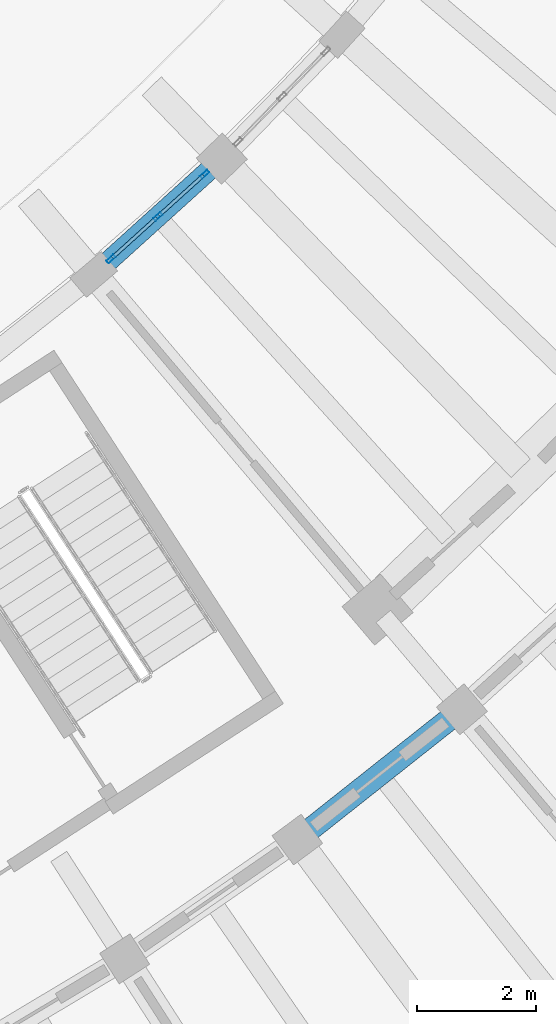
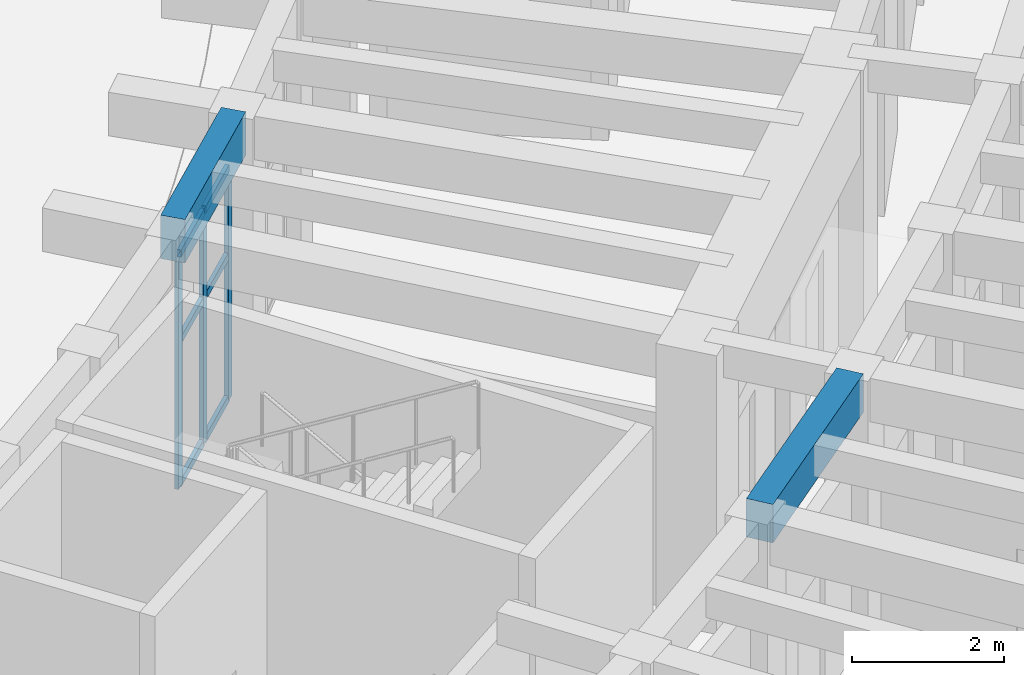
# One storey, part 55 of 132: 9 members, 2 beams, 1 element without a shape of its own.
"""IFC4 building model written with IfcOpenShell, lengths in metres."""

from ifc_helpers import new_model, si_unit, direction, frame, origin, origin_2d, place, context, subcontext, project, spatial, rectangle, hollow_rectangle, extrude, material, material_profile, profile_set, type_object, element, aggregate, save


model = new_model("IFC4")

# Units and contexts
model_context = context("Model", 3, precision=1e-05, world=origin(), true_north=direction((0.0, 1.0)))
body_context = subcontext(model_context, "Body", "Model", "MODEL_VIEW")
ifc_project = project(units=[si_unit("LENGTHUNIT", "METRE"), si_unit("AREAUNIT", "SQUARE_METRE"), si_unit("VOLUMEUNIT", "CUBIC_METRE"), si_unit("PLANEANGLEUNIT", "RADIAN"), si_unit("MASSUNIT", "GRAM", prefix="KILO")], contexts=[model_context])

# Site, building, storey
site_placement = place(None, origin())
site = spatial("IfcSite", under=ifc_project, at=site_placement, CompositionType="ELEMENT")
building_placement = place(site_placement, origin())
building = spatial("IfcBuilding", under=site, at=building_placement, Name="Tanwirah Colonnade Gardens", CompositionType="ELEMENT")
storey_placement = place(building_placement, origin())
storey = spatial("IfcBuildingStorey", under=building, at=storey_placement, Name="L00", CompositionType="ELEMENT", Elevation=0.0)

# Beam
ifc_material_1 = material(Name="Precast concrete C40/50", Category="concrete")
ifc_material_profile_1 = material_profile(ifc_material_1, rectangle(XDim=0.3798828125, YDim=0.6201171875, at=origin_2d()), Name="PC-BM 380x620")
ifc_profile_set_1 = profile_set([ifc_material_profile_1], Name="Precast concrete C40/50")
beam_type_1 = type_object("IfcBeamType", Name="BM-PC380", PredefinedType="BEAM", material=ifc_profile_set_1)
beam_1_placement = place(storey_placement, frame((153.267822265625, 21.144775390625, 4.175048828125), z_axis=(0.783993819374, 0.620768629349, 0.0), x_axis=(-0.620768629349, 0.783993819374, 0.0)))
element("IfcBeam", 1, at=beam_1_placement, inside=storey, type_object=beam_type_1, Name="Block D L00 Circumferential Beam 6-R2", PredefinedType="BEAM", context=body_context, shape_type="SweptSolid", body=[
    extrude(rectangle(XDim=0.3798828125, YDim=0.6201171875, at=origin_2d()), origin(), (0.0, 0.0, 1.0), 3.23681640625),
])

# Curtain wall, members
ifc_material_2 = material(Name="Bronze-anodised aluminium and solar-control low-E glass", Category="aluminium")
curtain_wall_type = type_object("IfcCurtainWallType", Name="CW-GDN", PredefinedType="NOTDEFINED", material=ifc_material_2)
curtain_wall_placement = place(storey_placement, origin())
curtain_wall = element("IfcCurtainWall", 2, at=curtain_wall_placement, inside=storey, type_object=curtain_wall_type, Name="Curtain Wall CW-D-L00-IN-07", PredefinedType="NOTDEFINED")
ifc_material_3 = material(Name="Bronze-anodised aluminium", Category="aluminium")
ifc_material_profile_2 = material_profile(ifc_material_3, hollow_rectangle(XDim=0.06005859375, YDim=0.159912109375, WallThickness=0.00390625, at=origin_2d()), Name="CW-MUL 60x160x4")
ifc_profile_set_2 = profile_set([ifc_material_profile_2], Name="Bronze-anodised aluminium")
member_type_1 = type_object("IfcMemberType", Name="CWM-60x160", PredefinedType="MULLION", material=ifc_profile_set_2)
member_1_placement = place(storey_placement, frame((150.009521484375, 30.8359375, 0.0), z_axis=(0.0, 0.0, 1.0), x_axis=(-0.670750964954, 0.741682643058, 0.0)))
member_1 = element("IfcMember", 3, at=member_1_placement, type_object=member_type_1, Name="CW-GDN mullion 1", PredefinedType="MULLION", context=body_context, shape_type="SweptSolid", body=[
    extrude(hollow_rectangle(XDim=0.06005859375, YDim=0.159912109375, WallThickness=0.00390625, at=origin_2d()), origin(), (0.0, 0.0, 1.0), 3.7548828125),
])
member_2_placement = place(storey_placement, frame((150.798828125, 31.5498046875, 0.0), z_axis=(0.0, 0.0, 1.0), x_axis=(-0.670750964954, 0.741682643058, 0.0)))
member_2 = element("IfcMember", 4, at=member_2_placement, type_object=member_type_1, Name="CW-GDN mullion 2", PredefinedType="MULLION", context=body_context, shape_type="SweptSolid", body=[
    extrude(hollow_rectangle(XDim=0.06005859375, YDim=0.159912109375, WallThickness=0.00390625, at=origin_2d()), origin(), (0.0, 0.0, 1.0), 3.7548828125),
])
member_3_placement = place(storey_placement, frame((151.58837890625, 32.263671875, 0.0), z_axis=(0.0, 0.0, 1.0), x_axis=(-0.670750964954, 0.741682643058, 0.0)))
member_3 = element("IfcMember", 5, at=member_3_placement, type_object=member_type_1, Name="CW-GDN mullion 3", PredefinedType="MULLION", context=body_context, shape_type="SweptSolid", body=[
    extrude(hollow_rectangle(XDim=0.06005859375, YDim=0.159912109375, WallThickness=0.00390625, at=origin_2d()), origin(), (0.0, 0.0, 1.0), 3.7548828125),
])
ifc_material_profile_3 = material_profile(ifc_material_3, hollow_rectangle(XDim=0.06005859375, YDim=0.1201171875, WallThickness=0.00390625, at=origin_2d()), Name="CW-TRN 60x120x4")
ifc_profile_set_3 = profile_set([ifc_material_profile_3], Name="Bronze-anodised aluminium")
member_type_2 = type_object("IfcMemberType", Name="CWT-60x120", PredefinedType="USERDEFINED", material=ifc_profile_set_3)
member_4_placement = place(storey_placement, frame((150.03173828125, 30.85595703125, 0.030029296875), z_axis=(0.741587602232, 0.67085604135, 0.0), x_axis=(-0.67085604135, 0.741587602232, 0.0)))
member_4 = element("IfcMember", 6, at=member_4_placement, type_object=member_type_2, Name="CW-GDN transom 1.1", ObjectType="TRANSOM", PredefinedType="USERDEFINED", context=body_context, shape_type="SweptSolid", body=[
    extrude(hollow_rectangle(XDim=0.06005859375, YDim=0.1201171875, WallThickness=0.00390625, at=origin_2d()), origin(), (0.0, 0.0, 1.0), 1.00439453125),
])
member_5_placement = place(storey_placement, frame((150.03173828125, 30.85595703125, 2.328125), z_axis=(0.741587602232, 0.67085604135, 0.0), x_axis=(-0.67085604135, 0.741587602232, 0.0)))
member_5 = element("IfcMember", 7, at=member_5_placement, type_object=member_type_2, Name="CW-GDN transom 1.2", ObjectType="TRANSOM", PredefinedType="USERDEFINED", context=body_context, shape_type="SweptSolid", body=[
    extrude(hollow_rectangle(XDim=0.06005859375, YDim=0.1201171875, WallThickness=0.00390625, at=origin_2d()), origin(), (0.0, 0.0, 1.0), 1.00439453125),
])
member_6_placement = place(storey_placement, frame((150.03173828125, 30.85595703125, 3.72509765625), z_axis=(0.741587602232, 0.67085604135, 0.0), x_axis=(-0.67085604135, 0.741587602232, 0.0)))
member_6 = element("IfcMember", 8, at=member_6_placement, type_object=member_type_2, Name="CW-GDN transom 1.3", ObjectType="TRANSOM", PredefinedType="USERDEFINED", context=body_context, shape_type="SweptSolid", body=[
    extrude(hollow_rectangle(XDim=0.06005859375, YDim=0.1201171875, WallThickness=0.00390625, at=origin_2d()), origin(), (0.0, 0.0, 1.0), 1.00439453125),
])
member_7_placement = place(storey_placement, frame((150.821044921875, 31.570068359375, 0.030029296875), z_axis=(0.741817868758, 0.67060140888, 0.0), x_axis=(-0.67060140888, 0.741817868758, 0.0)))
member_7 = element("IfcMember", 9, at=member_7_placement, type_object=member_type_2, Name="CW-GDN transom 2.1", ObjectType="TRANSOM", PredefinedType="USERDEFINED", context=body_context, shape_type="SweptSolid", body=[
    extrude(hollow_rectangle(XDim=0.06005859375, YDim=0.1201171875, WallThickness=0.00390625, at=origin_2d()), origin(), (0.0, 0.0, 1.0), 1.00439453125),
])
member_8_placement = place(storey_placement, frame((150.821044921875, 31.570068359375, 2.328125), z_axis=(0.741817868758, 0.67060140888, 0.0), x_axis=(-0.67060140888, 0.741817868758, 0.0)))
member_8 = element("IfcMember", 10, at=member_8_placement, type_object=member_type_2, Name="CW-GDN transom 2.2", ObjectType="TRANSOM", PredefinedType="USERDEFINED", context=body_context, shape_type="SweptSolid", body=[
    extrude(hollow_rectangle(XDim=0.06005859375, YDim=0.1201171875, WallThickness=0.00390625, at=origin_2d()), origin(), (0.0, 0.0, 1.0), 1.00439453125),
])
member_9_placement = place(storey_placement, frame((150.821044921875, 31.570068359375, 3.72509765625), z_axis=(0.741817868758, 0.67060140888, 0.0), x_axis=(-0.67060140888, 0.741817868758, 0.0)))
member_9 = element("IfcMember", 11, at=member_9_placement, type_object=member_type_2, Name="CW-GDN transom 2.3", ObjectType="TRANSOM", PredefinedType="USERDEFINED", context=body_context, shape_type="SweptSolid", body=[
    extrude(hollow_rectangle(XDim=0.06005859375, YDim=0.1201171875, WallThickness=0.00390625, at=origin_2d()), origin(), (0.0, 0.0, 1.0), 1.00439453125),
])
aggregate(curtain_wall, [member_1, member_2, member_3, member_4, member_5, member_6, member_7, member_8, member_9])

# Beam
ifc_material_4 = material(Name="Precast concrete C45/55", Category="concrete")
ifc_material_profile_4 = material_profile(ifc_material_4, rectangle(XDim=0.340087890625, YDim=0.699951171875, at=origin_2d()), Name="PC-SP 340x700")
ifc_profile_set_4 = profile_set([ifc_material_profile_4], Name="Precast concrete C45/55")
beam_type_2 = type_object("IfcBeamType", Name="SP-PC340", PredefinedType="SPANDREL", material=ifc_profile_set_4)
beam_2_placement = place(storey_placement, frame((149.83154296875, 30.675048828125, 4.135009765625), z_axis=(0.741686528432, 0.670746668678, 0.0), x_axis=(-0.670746668678, 0.741686528432, 0.0)))
element("IfcBeam", 12, at=beam_2_placement, inside=storey, type_object=beam_type_2, Name="Block D L00 Circumferential Beam 7-R0", PredefinedType="SPANDREL", context=body_context, shape_type="SweptSolid", body=[
    extrude(rectangle(XDim=0.340087890625, YDim=0.699951171875, at=origin_2d()), origin(), (0.0, 0.0, 1.0), 2.608642578125),
])

save(model, "model.ifc")
